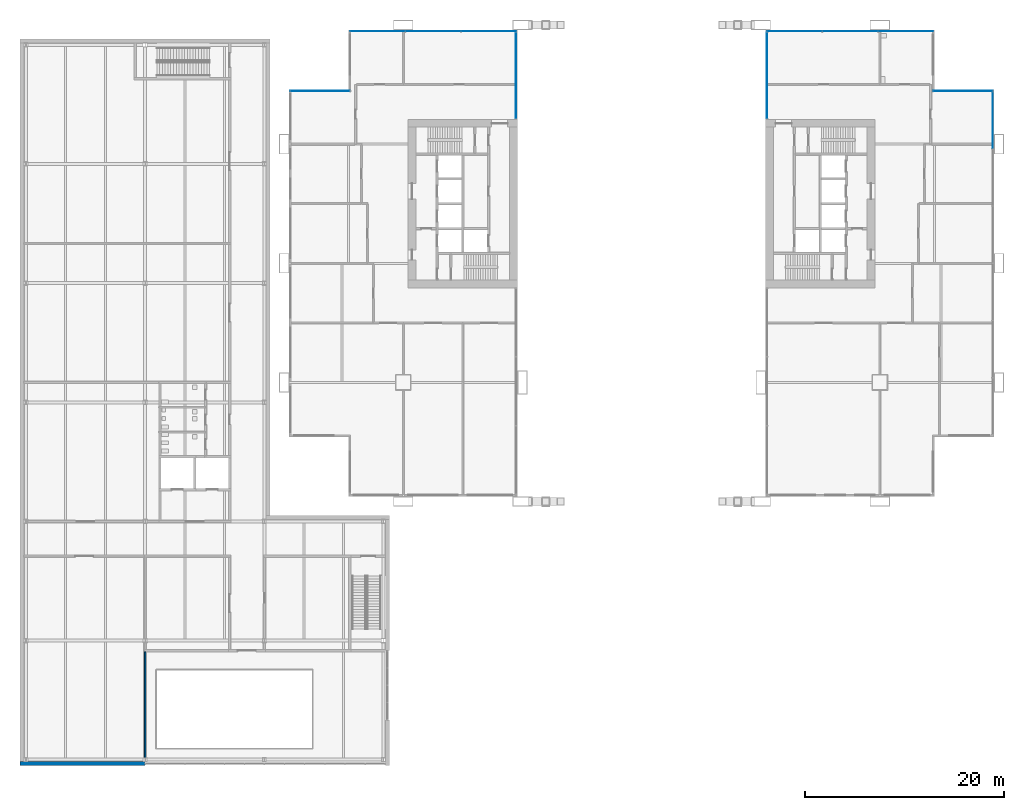
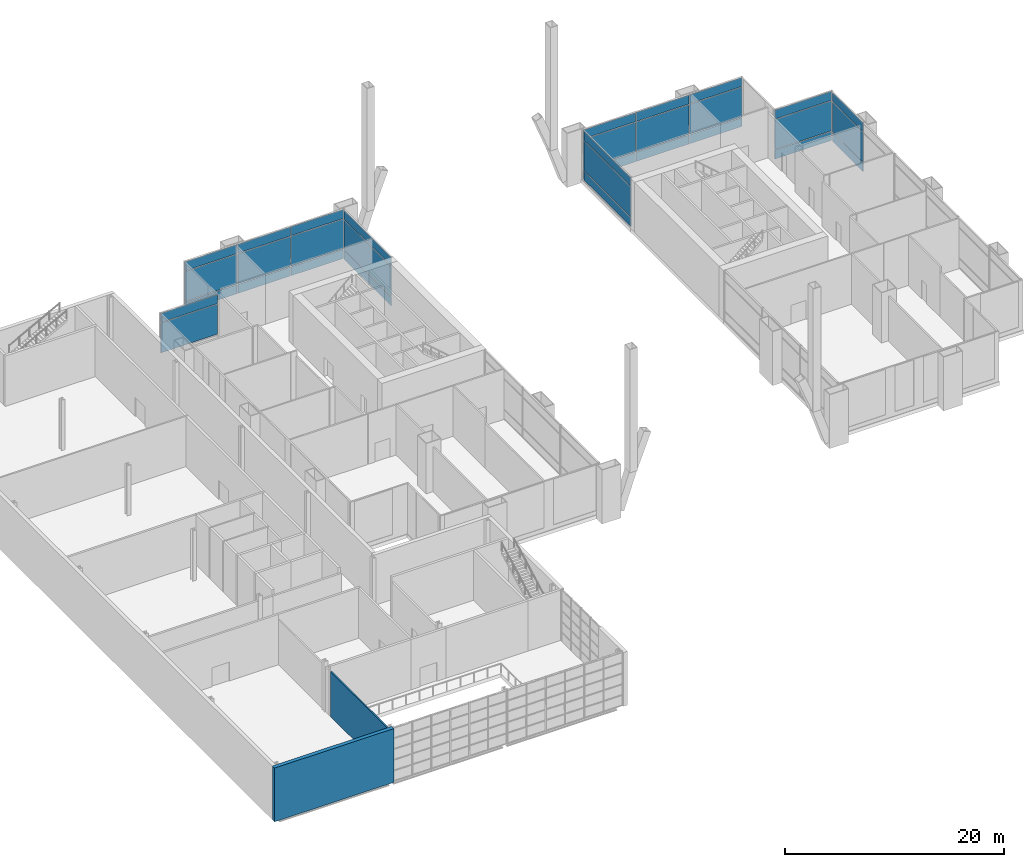
# One storey, part 20 of 30: 32 plates, 2 walls, 7 elements without a shape of their own.
"""IFC4 building model written with IfcOpenShell, lengths in metres."""

from ifc_helpers import new_model, si_unit, direction, frame, frame_2d, origin, origin_2d, place, context, subcontext, project, spatial, rectangle, extrude, material, layer, layer_set, type_object, element, aggregate, save


model = new_model("IFC4")

# Units and contexts
model_context = context("Model", 3, precision=1e-05, world=origin(), true_north=direction((0.0, 1.0)))
body_context = subcontext(model_context, "Body", "Model", "MODEL_VIEW")
ifc_project = project(units=[si_unit("LENGTHUNIT", "METRE"), si_unit("AREAUNIT", "SQUARE_METRE"), si_unit("VOLUMEUNIT", "CUBIC_METRE"), si_unit("PLANEANGLEUNIT", "RADIAN"), si_unit("MASSUNIT", "GRAM", prefix="KILO")], contexts=[model_context])

# Site, building, storey
site_placement = place(None, origin())
site = spatial("IfcSite", under=ifc_project, at=site_placement, CompositionType="ELEMENT")
building_placement = place(site_placement, origin())
building = spatial("IfcBuilding", under=site, at=building_placement, Name="Kitamizu Gate Tower and Museum", CompositionType="ELEMENT")
storey_placement = place(building_placement, frame((0.0, 0.0, 6.0)))
storey = spatial("IfcBuildingStorey", under=building, at=storey_placement, Name="L01", CompositionType="ELEMENT", Elevation=6.0)

# Curtain wall, plates
ifc_material_1 = material(Name="Bronze anodised aluminium frame, tinted triple glazing", Category="aluminium")
curtain_wall_type_1 = type_object("IfcCurtainWallType", Name="CURTAIN WALL TYPE E PODIUM PLAZA", PredefinedType="NOTDEFINED", material=ifc_material_1)
curtain_wall_1_placement = place(storey_placement, origin())
curtain_wall_1 = element("IfcCurtainWall", 1, at=curtain_wall_1_placement, inside=storey, type_object=curtain_wall_type_1, Name="Curtain wall CW-E north L01", PredefinedType="NOTDEFINED")
ifc_material_2 = material(Name="Tinted insulating glass", Category="glass")
ifc_layer_1 = layer(ifc_material_2, 0.033935546875)
ifc_layer_set_1 = layer_set([ifc_layer_1], Name="Tinted insulating glass")
plate_type_1 = type_object("IfcPlateType", Name="GLASS PANEL 34 TYPE E", PredefinedType="CURTAIN_PANEL", material=ifc_layer_set_1)
plate_1_placement = place(storey_placement, frame((9.393310546875, 47.364990234375, 0.06982421875), z_axis=(0.0, 0.0, 1.0), x_axis=(1.0, 0.0, 0.0)))
plate_1 = element("IfcPlate", 2, at=plate_1_placement, type_object=plate_type_1, Name="CW-E panel 1.1", PredefinedType="CURTAIN_PANEL", context=body_context, shape_type="SweptSolid", body=[
    extrude(rectangle(XDim=5.506591796875, YDim=0.033935546875, at=origin_2d()), origin(), (0.0, 0.0, 1.0), 0.9951171875),
])
plate_2_placement = place(storey_placement, frame((9.393310546875, 47.364990234375, 1.135009765625), z_axis=(0.0, 0.0, 1.0), x_axis=(1.0, 0.0, 0.0)))
plate_2 = element("IfcPlate", 3, at=plate_2_placement, type_object=plate_type_1, Name="CW-E panel 1.2", PredefinedType="CURTAIN_PANEL", context=body_context, shape_type="SweptSolid", body=[
    extrude(rectangle(XDim=5.506591796875, YDim=0.033935546875, at=origin_2d()), origin(), (0.0, 0.0, 1.0), 3.330078125),
])
plate_3_placement = place(storey_placement, frame((9.393310546875, 47.364990234375, 4.534912109375), z_axis=(0.0, 0.0, 1.0), x_axis=(1.0, 0.0, 0.0)))
plate_3 = element("IfcPlate", 4, at=plate_3_placement, type_object=plate_type_1, Name="CW-E panel 1.3", PredefinedType="CURTAIN_PANEL", context=body_context, shape_type="SweptSolid", body=[
    extrude(rectangle(XDim=5.506591796875, YDim=0.033935546875, at=origin_2d()), origin(), (0.0, 0.0, 1.0), 0.9951171875),
])
plate_4_placement = place(storey_placement, frame((15.0, 47.364990234375, 0.06982421875), z_axis=(0.0, 0.0, 1.0), x_axis=(1.0, 0.0, 0.0)))
plate_4 = element("IfcPlate", 5, at=plate_4_placement, type_object=plate_type_1, Name="CW-E panel 2.1", PredefinedType="CURTAIN_PANEL", context=body_context, shape_type="SweptSolid", body=[
    extrude(rectangle(XDim=5.546630859375, YDim=0.033935546875, at=origin_2d()), origin(), (0.0, 0.0, 1.0), 0.9951171875),
])
plate_5_placement = place(storey_placement, frame((15.0, 47.364990234375, 1.135009765625), z_axis=(0.0, 0.0, 1.0), x_axis=(1.0, 0.0, 0.0)))
plate_5 = element("IfcPlate", 6, at=plate_5_placement, type_object=plate_type_1, Name="CW-E panel 2.2", PredefinedType="CURTAIN_PANEL", context=body_context, shape_type="SweptSolid", body=[
    extrude(rectangle(XDim=5.546630859375, YDim=0.033935546875, at=origin_2d()), origin(), (0.0, 0.0, 1.0), 3.330078125),
])
plate_6_placement = place(storey_placement, frame((15.0, 47.364990234375, 4.534912109375), z_axis=(0.0, 0.0, 1.0), x_axis=(1.0, 0.0, 0.0)))
plate_6 = element("IfcPlate", 7, at=plate_6_placement, type_object=plate_type_1, Name="CW-E panel 2.3", PredefinedType="CURTAIN_PANEL", context=body_context, shape_type="SweptSolid", body=[
    extrude(rectangle(XDim=5.546630859375, YDim=0.033935546875, at=origin_2d()), origin(), (0.0, 0.0, 1.0), 0.9951171875),
])
plate_7_placement = place(storey_placement, frame((20.606689453125, 47.364990234375, 0.06982421875), z_axis=(0.0, 0.0, 1.0), x_axis=(1.0, 0.0, 0.0)))
plate_7 = element("IfcPlate", 8, at=plate_7_placement, type_object=plate_type_1, Name="CW-E panel 3.1", PredefinedType="CURTAIN_PANEL", context=body_context, shape_type="SweptSolid", body=[
    extrude(rectangle(XDim=5.506591796875, YDim=0.033935546875, at=origin_2d()), origin(), (0.0, 0.0, 1.0), 0.9951171875),
])
plate_8_placement = place(storey_placement, frame((20.606689453125, 47.364990234375, 1.135009765625), z_axis=(0.0, 0.0, 1.0), x_axis=(1.0, 0.0, 0.0)))
plate_8 = element("IfcPlate", 9, at=plate_8_placement, type_object=plate_type_1, Name="CW-E panel 3.2", PredefinedType="CURTAIN_PANEL", context=body_context, shape_type="SweptSolid", body=[
    extrude(rectangle(XDim=5.506591796875, YDim=0.033935546875, at=origin_2d()), origin(), (0.0, 0.0, 1.0), 3.330078125),
])
plate_9_placement = place(storey_placement, frame((20.606689453125, 47.364990234375, 4.534912109375), z_axis=(0.0, 0.0, 1.0), x_axis=(1.0, 0.0, 0.0)))
plate_9 = element("IfcPlate", 10, at=plate_9_placement, type_object=plate_type_1, Name="CW-E panel 3.3", PredefinedType="CURTAIN_PANEL", context=body_context, shape_type="SweptSolid", body=[
    extrude(rectangle(XDim=5.506591796875, YDim=0.033935546875, at=origin_2d()), origin(), (0.0, 0.0, 1.0), 0.9951171875),
])
aggregate(curtain_wall_1, [plate_1, plate_2, plate_3, plate_4, plate_5, plate_6, plate_7, plate_8, plate_9])

curtain_wall_2_placement = place(storey_placement, origin())
curtain_wall_2 = element("IfcCurtainWall", 11, at=curtain_wall_2_placement, inside=storey, type_object=curtain_wall_type_1, Name="Curtain wall CW-E north L01", PredefinedType="NOTDEFINED")
plate_10_placement = place(storey_placement, frame((3.635009765625, 41.364990234375, 1.135009765625), z_axis=(0.0, 0.0, 1.0), x_axis=(1.0, 0.0, 0.0)))
plate_10 = element("IfcPlate", 12, at=plate_10_placement, type_object=plate_type_1, Name="CW-E panel 1.2", PredefinedType="CURTAIN_PANEL", context=body_context, shape_type="SweptSolid", body=[
    extrude(rectangle(XDim=5.989990234375, YDim=0.033935546875, at=origin_2d()), origin(), (0.0, 0.0, 1.0), 3.330078125),
])
plate_11_placement = place(storey_placement, frame((3.635009765625, 41.364990234375, 4.534912109375), z_axis=(0.0, 0.0, 1.0), x_axis=(1.0, 0.0, 0.0)))
plate_11 = element("IfcPlate", 13, at=plate_11_placement, type_object=plate_type_1, Name="CW-E panel 1.3", PredefinedType="CURTAIN_PANEL", context=body_context, shape_type="SweptSolid", body=[
    extrude(rectangle(XDim=5.989990234375, YDim=0.033935546875, at=origin_2d()), origin(), (0.0, 0.0, 1.0), 0.9951171875),
])
aggregate(curtain_wall_2, [plate_10, plate_11])

curtain_wall_3_placement = place(storey_placement, origin())
curtain_wall_3 = element("IfcCurtainWall", 14, at=curtain_wall_3_placement, inside=storey, type_object=curtain_wall_type_1, Name="Curtain wall CW-E north L01", PredefinedType="NOTDEFINED")
plate_12_placement = place(storey_placement, frame((68.364990234375, 41.364990234375, 0.06982421875), z_axis=(0.0, 0.0, 1.0), x_axis=(1.0, 0.0, 0.0)))
plate_12 = element("IfcPlate", 15, at=plate_12_placement, type_object=plate_type_1, Name="CW-E panel 1.1", PredefinedType="CURTAIN_PANEL", context=body_context, shape_type="SweptSolid", body=[
    extrude(rectangle(XDim=5.989990234375, YDim=0.033935546875, at=origin_2d()), origin(), (0.0, 0.0, 1.0), 0.9951171875),
])
plate_13_placement = place(storey_placement, frame((68.364990234375, 41.364990234375, 1.135009765625), z_axis=(0.0, 0.0, 1.0), x_axis=(1.0, 0.0, 0.0)))
plate_13 = element("IfcPlate", 16, at=plate_13_placement, type_object=plate_type_1, Name="CW-E panel 1.2", PredefinedType="CURTAIN_PANEL", context=body_context, shape_type="SweptSolid", body=[
    extrude(rectangle(XDim=5.989990234375, YDim=0.033935546875, at=origin_2d()), origin(), (0.0, 0.0, 1.0), 3.330078125),
])
plate_14_placement = place(storey_placement, frame((68.364990234375, 41.364990234375, 4.534912109375), z_axis=(0.0, 0.0, 1.0), x_axis=(1.0, 0.0, 0.0)))
plate_14 = element("IfcPlate", 17, at=plate_14_placement, type_object=plate_type_1, Name="CW-E panel 1.3", PredefinedType="CURTAIN_PANEL", context=body_context, shape_type="SweptSolid", body=[
    extrude(rectangle(XDim=5.989990234375, YDim=0.033935546875, at=origin_2d()), origin(), (0.0, 0.0, 1.0), 0.9951171875),
])
aggregate(curtain_wall_3, [plate_12, plate_13, plate_14])

curtain_wall_4_placement = place(storey_placement, origin())
curtain_wall_4 = element("IfcCurtainWall", 18, at=curtain_wall_4_placement, inside=storey, type_object=curtain_wall_type_1, Name="Curtain wall CW-E north L01", PredefinedType="NOTDEFINED")
plate_15_placement = place(storey_placement, frame((51.393310546875, 47.364990234375, 0.06982421875), z_axis=(0.0, 0.0, 1.0), x_axis=(1.0, 0.0, 0.0)))
plate_15 = element("IfcPlate", 19, at=plate_15_placement, type_object=plate_type_1, Name="CW-E panel 1.1", PredefinedType="CURTAIN_PANEL", context=body_context, shape_type="SweptSolid", body=[
    extrude(rectangle(XDim=5.506591796875, YDim=0.033935546875, at=origin_2d()), origin(), (0.0, 0.0, 1.0), 0.9951171875),
])
plate_16_placement = place(storey_placement, frame((51.393310546875, 47.364990234375, 1.135009765625), z_axis=(0.0, 0.0, 1.0), x_axis=(1.0, 0.0, 0.0)))
plate_16 = element("IfcPlate", 20, at=plate_16_placement, type_object=plate_type_1, Name="CW-E panel 1.2", PredefinedType="CURTAIN_PANEL", context=body_context, shape_type="SweptSolid", body=[
    extrude(rectangle(XDim=5.506591796875, YDim=0.033935546875, at=origin_2d()), origin(), (0.0, 0.0, 1.0), 3.330078125),
])
plate_17_placement = place(storey_placement, frame((51.393310546875, 47.364990234375, 4.534912109375), z_axis=(0.0, 0.0, 1.0), x_axis=(1.0, 0.0, 0.0)))
plate_17 = element("IfcPlate", 21, at=plate_17_placement, type_object=plate_type_1, Name="CW-E panel 1.3", PredefinedType="CURTAIN_PANEL", context=body_context, shape_type="SweptSolid", body=[
    extrude(rectangle(XDim=5.506591796875, YDim=0.033935546875, at=origin_2d()), origin(), (0.0, 0.0, 1.0), 0.9951171875),
])
plate_18_placement = place(storey_placement, frame((57.0, 47.364990234375, 0.06982421875), z_axis=(0.0, 0.0, 1.0), x_axis=(1.0, 0.0, 0.0)))
plate_18 = element("IfcPlate", 22, at=plate_18_placement, type_object=plate_type_1, Name="CW-E panel 2.1", PredefinedType="CURTAIN_PANEL", context=body_context, shape_type="SweptSolid", body=[
    extrude(rectangle(XDim=5.546630859375, YDim=0.033935546875, at=origin_2d()), origin(), (0.0, 0.0, 1.0), 0.9951171875),
])
plate_19_placement = place(storey_placement, frame((57.0, 47.364990234375, 1.135009765625), z_axis=(0.0, 0.0, 1.0), x_axis=(1.0, 0.0, 0.0)))
plate_19 = element("IfcPlate", 23, at=plate_19_placement, type_object=plate_type_1, Name="CW-E panel 2.2", PredefinedType="CURTAIN_PANEL", context=body_context, shape_type="SweptSolid", body=[
    extrude(rectangle(XDim=5.546630859375, YDim=0.033935546875, at=origin_2d()), origin(), (0.0, 0.0, 1.0), 3.330078125),
])
plate_20_placement = place(storey_placement, frame((57.0, 47.364990234375, 4.534912109375), z_axis=(0.0, 0.0, 1.0), x_axis=(1.0, 0.0, 0.0)))
plate_20 = element("IfcPlate", 24, at=plate_20_placement, type_object=plate_type_1, Name="CW-E panel 2.3", PredefinedType="CURTAIN_PANEL", context=body_context, shape_type="SweptSolid", body=[
    extrude(rectangle(XDim=5.546630859375, YDim=0.033935546875, at=origin_2d()), origin(), (0.0, 0.0, 1.0), 0.9951171875),
])
plate_21_placement = place(storey_placement, frame((62.606689453125, 47.364990234375, 0.06982421875), z_axis=(0.0, 0.0, 1.0), x_axis=(1.0, 0.0, 0.0)))
plate_21 = element("IfcPlate", 25, at=plate_21_placement, type_object=plate_type_1, Name="CW-E panel 3.1", PredefinedType="CURTAIN_PANEL", context=body_context, shape_type="SweptSolid", body=[
    extrude(rectangle(XDim=5.506591796875, YDim=0.033935546875, at=origin_2d()), origin(), (0.0, 0.0, 1.0), 0.9951171875),
])
plate_22_placement = place(storey_placement, frame((62.606689453125, 47.364990234375, 1.135009765625), z_axis=(0.0, 0.0, 1.0), x_axis=(1.0, 0.0, 0.0)))
plate_22 = element("IfcPlate", 26, at=plate_22_placement, type_object=plate_type_1, Name="CW-E panel 3.2", PredefinedType="CURTAIN_PANEL", context=body_context, shape_type="SweptSolid", body=[
    extrude(rectangle(XDim=5.506591796875, YDim=0.033935546875, at=origin_2d()), origin(), (0.0, 0.0, 1.0), 3.330078125),
])
plate_23_placement = place(storey_placement, frame((62.606689453125, 47.364990234375, 4.534912109375), z_axis=(0.0, 0.0, 1.0), x_axis=(1.0, 0.0, 0.0)))
plate_23 = element("IfcPlate", 27, at=plate_23_placement, type_object=plate_type_1, Name="CW-E panel 3.3", PredefinedType="CURTAIN_PANEL", context=body_context, shape_type="SweptSolid", body=[
    extrude(rectangle(XDim=5.506591796875, YDim=0.033935546875, at=origin_2d()), origin(), (0.0, 0.0, 1.0), 0.9951171875),
])
aggregate(curtain_wall_4, [plate_15, plate_16, plate_17, plate_18, plate_19, plate_20, plate_21, plate_22, plate_23])

ifc_material_3 = material(Name="Bronze anodised aluminium frame, tinted triple glazing", Category="aluminium")
curtain_wall_type_2 = type_object("IfcCurtainWallType", Name="CURTAIN WALL TYPE A PODIUM", PredefinedType="NOTDEFINED", material=ifc_material_3)
curtain_wall_5_placement = place(storey_placement, origin())
curtain_wall_5 = element("IfcCurtainWall", 28, at=curtain_wall_5_placement, inside=storey, type_object=curtain_wall_type_2, Name="Curtain wall CW-A east L01", PredefinedType="NOTDEFINED")
ifc_material_4 = material(Name="Tinted insulating glass", Category="glass")
ifc_layer_2 = layer(ifc_material_4, 0.035888671875)
ifc_layer_set_2 = layer_set([ifc_layer_2], Name="Tinted insulating glass")
plate_type_2 = type_object("IfcPlateType", Name="GLASS PANEL 36 TYPE A", PredefinedType="CURTAIN_PANEL", material=ifc_layer_set_2)
plate_24_placement = place(storey_placement, frame((23.364990234375, 42.89501953125, 0.080078125), z_axis=(0.0, 0.0, 1.0), x_axis=(0.0, 1.0, 0.0)))
plate_24 = element("IfcPlate", 29, at=plate_24_placement, type_object=plate_type_2, Name="CW-A panel 1.1", PredefinedType="CURTAIN_PANEL", context=body_context, shape_type="SweptSolid", body=[
    extrude(rectangle(XDim=8.610107421875, YDim=0.035888671875, at=origin_2d()), origin(), (0.0, 0.0, 1.0), 0.97998046875),
])
plate_25_placement = place(storey_placement, frame((23.364990234375, 42.89501953125, 1.14013671875), z_axis=(0.0, 0.0, 1.0), x_axis=(0.0, 1.0, 0.0)))
plate_25 = element("IfcPlate", 30, at=plate_25_placement, type_object=plate_type_2, Name="CW-A panel 1.2", PredefinedType="CURTAIN_PANEL", context=body_context, shape_type="SweptSolid", body=[
    extrude(rectangle(XDim=8.610107421875, YDim=0.035888671875, at=origin_2d()), origin(), (0.0, 0.0, 1.0), 3.320068359375),
])
plate_26_placement = place(storey_placement, frame((23.364990234375, 42.89501953125, 4.5400390625), z_axis=(0.0, 0.0, 1.0), x_axis=(0.0, 1.0, 0.0)))
plate_26 = element("IfcPlate", 31, at=plate_26_placement, type_object=plate_type_2, Name="CW-A panel 1.3", PredefinedType="CURTAIN_PANEL", context=body_context, shape_type="SweptSolid", body=[
    extrude(rectangle(XDim=8.610107421875, YDim=0.035888671875, at=origin_2d()), origin(), (0.0, 0.0, 1.0), 0.97998046875),
])
aggregate(curtain_wall_5, [plate_24, plate_25, plate_26])

curtain_wall_6_placement = place(storey_placement, origin())
curtain_wall_6 = element("IfcCurtainWall", 32, at=curtain_wall_6_placement, inside=storey, type_object=curtain_wall_type_2, Name="Curtain wall CW-A west L01", PredefinedType="NOTDEFINED")
plate_27_placement = place(storey_placement, frame((48.635009765625, 42.89501953125, 0.080078125), z_axis=(0.0, 0.0, 1.0), x_axis=(0.0, 1.0, 0.0)))
plate_27 = element("IfcPlate", 33, at=plate_27_placement, type_object=plate_type_2, Name="CW-A panel 1.1", PredefinedType="CURTAIN_PANEL", context=body_context, shape_type="SweptSolid", body=[
    extrude(rectangle(XDim=8.610107421875, YDim=0.035888671875, at=origin_2d()), origin(), (0.0, 0.0, 1.0), 0.97998046875),
])
plate_28_placement = place(storey_placement, frame((48.635009765625, 42.89501953125, 1.14013671875), z_axis=(0.0, 0.0, 1.0), x_axis=(0.0, 1.0, 0.0)))
plate_28 = element("IfcPlate", 34, at=plate_28_placement, type_object=plate_type_2, Name="CW-A panel 1.2", PredefinedType="CURTAIN_PANEL", context=body_context, shape_type="SweptSolid", body=[
    extrude(rectangle(XDim=8.610107421875, YDim=0.035888671875, at=origin_2d()), origin(), (0.0, 0.0, 1.0), 3.320068359375),
])
plate_29_placement = place(storey_placement, frame((48.635009765625, 42.89501953125, 4.5400390625), z_axis=(0.0, 0.0, 1.0), x_axis=(0.0, 1.0, 0.0)))
plate_29 = element("IfcPlate", 35, at=plate_29_placement, type_object=plate_type_2, Name="CW-A panel 1.3", PredefinedType="CURTAIN_PANEL", context=body_context, shape_type="SweptSolid", body=[
    extrude(rectangle(XDim=8.610107421875, YDim=0.035888671875, at=origin_2d()), origin(), (0.0, 0.0, 1.0), 0.97998046875),
])
aggregate(curtain_wall_6, [plate_27, plate_28, plate_29])

curtain_wall_7_placement = place(storey_placement, origin())
curtain_wall_7 = element("IfcCurtainWall", 36, at=curtain_wall_7_placement, inside=storey, type_object=curtain_wall_type_2, Name="Curtain wall CW-A east L01", PredefinedType="NOTDEFINED")
plate_30_placement = place(storey_placement, frame((71.364990234375, 38.3857421875, 0.080078125), z_axis=(0.0, 0.0, 1.0), x_axis=(0.0, 1.0, 0.0)))
plate_30 = element("IfcPlate", 37, at=plate_30_placement, type_object=plate_type_2, Name="CW-A panel 6.1", PredefinedType="CURTAIN_PANEL", context=body_context, shape_type="SweptSolid", body=[
    extrude(rectangle(XDim=5.62841796875, YDim=0.035888671875, at=origin_2d()), origin(), (0.0, 0.0, 1.0), 0.97998046875),
])
plate_31_placement = place(storey_placement, frame((71.364990234375, 38.3857421875, 1.14013671875), z_axis=(0.0, 0.0, 1.0), x_axis=(0.0, 1.0, 0.0)))
plate_31 = element("IfcPlate", 38, at=plate_31_placement, type_object=plate_type_2, Name="CW-A panel 6.2", PredefinedType="CURTAIN_PANEL", context=body_context, shape_type="SweptSolid", body=[
    extrude(rectangle(XDim=5.62841796875, YDim=0.035888671875, at=origin_2d()), origin(), (0.0, 0.0, 1.0), 3.320068359375),
])
plate_32_placement = place(storey_placement, frame((71.364990234375, 38.3857421875, 4.5400390625), z_axis=(0.0, 0.0, 1.0), x_axis=(0.0, 1.0, 0.0)))
plate_32 = element("IfcPlate", 39, at=plate_32_placement, type_object=plate_type_2, Name="CW-A panel 6.3", PredefinedType="CURTAIN_PANEL", context=body_context, shape_type="SweptSolid", body=[
    extrude(rectangle(XDim=5.62841796875, YDim=0.035888671875, at=origin_2d()), origin(), (0.0, 0.0, 1.0), 0.97998046875),
])
aggregate(curtain_wall_7, [plate_30, plate_31, plate_32])

# Walls
ifc_material_5 = material(Name="Concrete Fc30 precast", Category="concrete")
ifc_layer_3 = layer(ifc_material_5, 0.39990234375)
ifc_layer_set_3 = layer_set([ifc_layer_3], Name="Concrete Fc30 precast")
wall_type_1 = type_object("IfcWallType", Name="Museum cladding wall 400", PredefinedType="STANDARD", material=ifc_layer_set_3)
wall_1_placement = place(storey_placement, frame((-26.60009765625, -26.39990234375, -0.39990234375), z_axis=(0.0, 0.0, 1.0), x_axis=(1.0, 0.0, 0.0)))
element("IfcWall", 40, at=wall_1_placement, inside=storey, type_object=wall_type_1, Name="Cladding wall L01.1", PredefinedType="STANDARD", context=body_context, shape_type="SweptSolid", body=[
    extrude(rectangle(XDim=12.60009765625, YDim=0.39990234375, at=frame_2d((6.300048828125, 0.0))), origin(), (0.0, 0.0, 1.0), 6.0),
])
ifc_material_6 = material(Name="Gypsum board on galvanised stud")
ifc_layer_4 = layer(ifc_material_6, 0.14990234375)
ifc_layer_set_4 = layer_set([ifc_layer_4], Name="Gypsum board on galvanised stud")
wall_type_2 = type_object("IfcWallType", Name="Museum partition 150", PredefinedType="PARTITIONING", material=ifc_layer_set_4)
wall_2_placement = place(storey_placement, frame((-14.0, -25.800048828125, 0.0), z_axis=(0.0, 0.0, 1.0), x_axis=(0.0, 1.0, 0.0)))
element("IfcWall", 41, at=wall_2_placement, inside=storey, type_object=wall_type_2, Name="Partition L01.18.1", PredefinedType="PARTITIONING", context=body_context, shape_type="SweptSolid", body=[
    extrude(rectangle(XDim=10.675048828125, YDim=0.14990234375, at=frame_2d((5.33740234375, 0.0))), origin(), (0.0, 0.0, 1.0), 5.011962890625),
])

save(model, "model.ifc")
